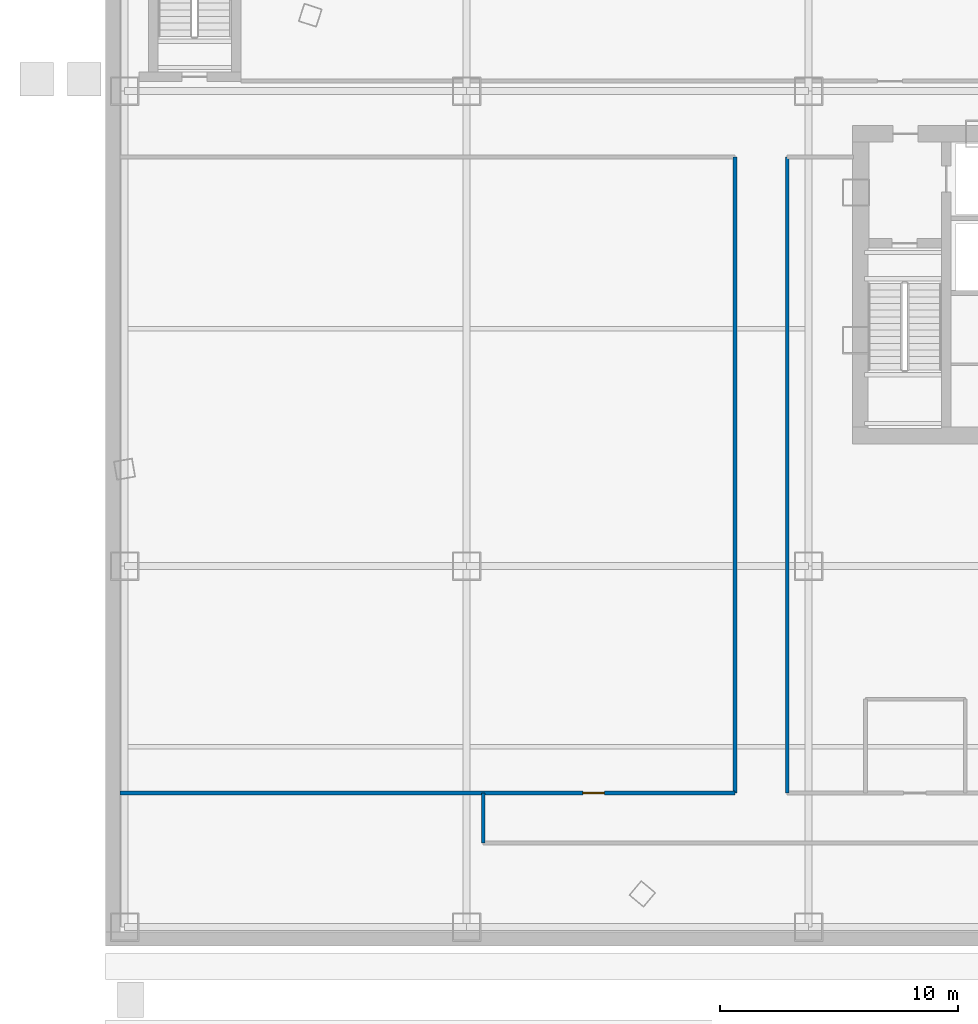
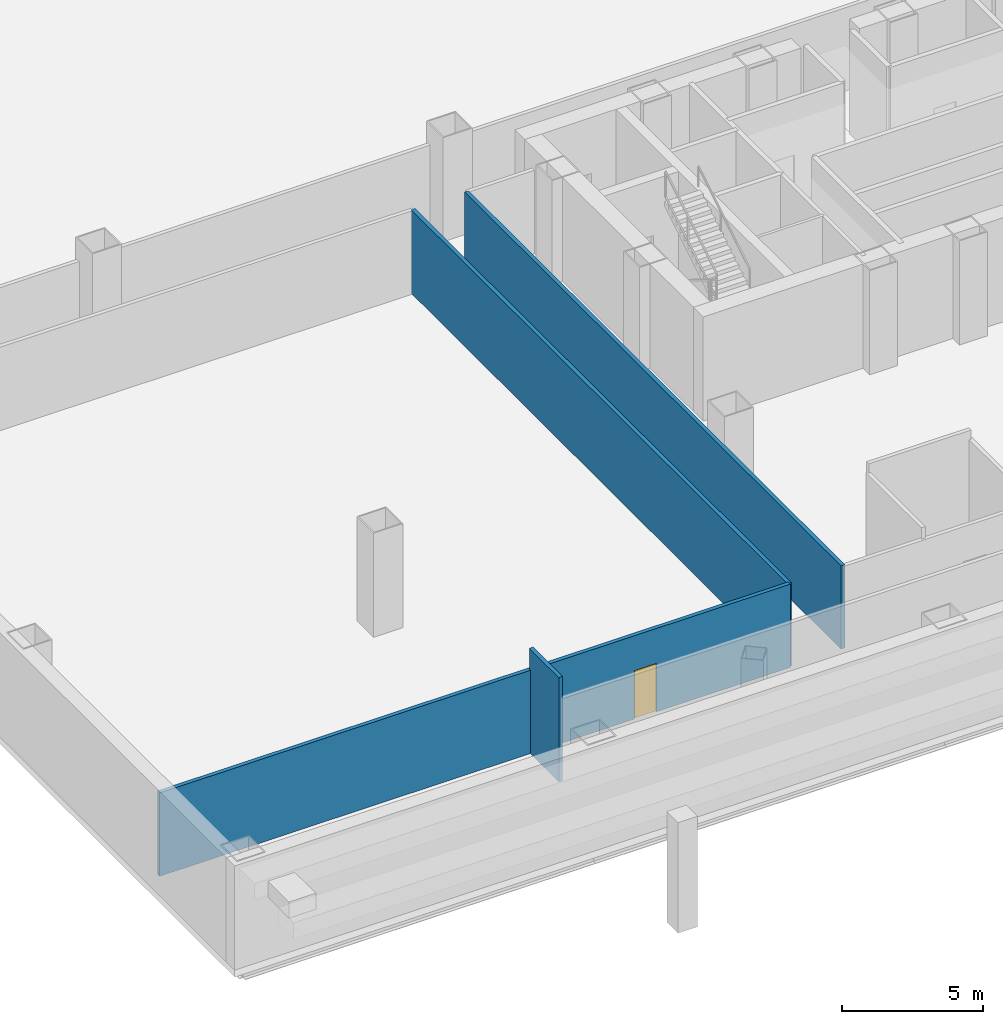
# One storey, part 6 of 16: 4 walls, 1 door, 1 opening.
"""IFC4 building model written with IfcOpenShell, lengths in metres."""

from ifc_helpers import new_model, si_unit, direction, frame, frame_2d, origin, origin_with_axes, place, context, subcontext, project, spatial, rectangle, extrude, source, transform, mapped, material, layer, layer_set, type_object, element, fill, save


model = new_model("IFC4")

# Units and contexts
model_context = context("Model", 3, precision=1e-05, world=origin(), true_north=direction((0.0, 1.0)))
body_context = subcontext(model_context, "Body", "Model", "MODEL_VIEW")
ifc_project = project(units=[si_unit("LENGTHUNIT", "METRE"), si_unit("AREAUNIT", "SQUARE_METRE"), si_unit("VOLUMEUNIT", "CUBIC_METRE"), si_unit("PLANEANGLEUNIT", "RADIAN"), si_unit("MASSUNIT", "GRAM", prefix="KILO"), si_unit("THERMODYNAMICTEMPERATUREUNIT", "KELVIN"), si_unit("POWERUNIT", "WATT")], contexts=[model_context])

# Site, building, storey
site_placement = place(None, origin())
site = spatial("IfcSite", under=ifc_project, at=site_placement, CompositionType="ELEMENT")
building_placement = place(site_placement, origin())
building = spatial("IfcBuilding", under=site, at=building_placement, Name="Yunzhuo Pagoda Commons", CompositionType="ELEMENT")
storey_placement = place(building_placement, frame((0.0, 0.0, -4.800048828125)))
storey = spatial("IfcBuildingStorey", under=building, at=storey_placement, Name="B01", CompositionType="ELEMENT", Elevation=-4.800048828125)

# Wall
ifc_material_1 = material(Name="Gypsum plasterboard on acoustic stud")
ifc_layer = layer(ifc_material_1, 0.159912109375)
ifc_layer_set = layer_set([ifc_layer], Name="Gypsum plasterboard on acoustic stud")
wall_type = type_object("IfcWallType", Name="W-COR1 Tower Rated Corridor Wall 160", PredefinedType="PARTITIONING", material=ifc_layer_set)
wall_1_placement = place(storey_placement, frame((30.5, 12.449951171875, 0.0), z_axis=(0.0, 0.0, 1.0), x_axis=(0.0, 1.0, 0.0)))
element("IfcWall", 1, at=wall_1_placement, inside=storey, type_object=wall_type, Name="B01 interior wall IW-B01-BIKEE", PredefinedType="PARTITIONING", context=body_context, shape_type="SweptSolid", body=[
    extrude(rectangle(XDim=26.77001953125, YDim=0.159912109375, at=frame_2d((13.385009765625, 0.0))), origin(), (0.0, 0.0, 1.0), 3.6201171875),
])

# Wall, opening, door
wall_2_placement = place(storey_placement, frame((4.60009765625, 12.449951171875, 0.0), z_axis=(0.0, 0.0, 1.0), x_axis=(1.0, 0.0, 0.0)))
wall_2 = element("IfcWall", 2, at=wall_2_placement, inside=storey, type_object=wall_type, Name="B01 interior wall IW-B01-BIKES", PredefinedType="PARTITIONING", context=body_context, shape_type="SweptSolid", body=[
    extrude(rectangle(XDim=25.89990234375, YDim=0.159912109375, at=frame_2d((12.949951171875, 0.0))), origin(), (0.0, 0.0, 1.0), 3.6201171875),
])
opening_placement = place(wall_2_placement, frame((19.5, 0.0, 0.0)))
opening = element("IfcOpeningElement", 3, at=opening_placement, cuts=wall_2, Name="Opening D-03", PredefinedType="OPENING", context=body_context, shape_type="SweptSolid", body=[
    extrude(rectangle(XDim=0.89990234375, YDim=2.10009765625, at=frame_2d((0.449951171875, 1.050048828125))), frame((0.0, 0.08984375, 0.0), z_axis=(0.0, -1.0, 0.0), x_axis=(1.0, 0.0, 0.0)), (0.0, 0.0, 1.0), 0.179931640625),
])
ifc_material_2 = material(Name="Galvanized fire-resisting metal leaf")
door_type = type_object("IfcDoorType", Name="D-03 Core Service Fire Door 900x2100", OperationType="NOTDEFINED", PredefinedType="DOOR", material=ifc_material_2)
shared_shape = source(origin(), body_context, "Body", "SweptSolid", [
    extrude(rectangle(XDim=0.89990234375, YDim=2.10009765625, at=frame_2d((0.449951171875, 1.050048828125))), frame((0.0, 0.02490234375, 0.0), z_axis=(0.0, -1.0, 0.0), x_axis=(1.0, 0.0, 0.0)), (0.0, 0.0, 1.0), 0.050048828125),
])
door_placement = place(opening_placement, origin_with_axes())
door = element("IfcDoor", 4, at=door_placement, inside=storey, type_object=door_type, Name="B01 Student Bicycle Storage Hub door", OperationType="SINGLE_SWING_RIGHT", OverallHeight=2.10009765625, OverallWidth=0.89990234375, PredefinedType="DOOR", context=body_context, shape_type="MappedRepresentation", body=[
    mapped(shared_shape, transform((0.0, 0.0, 0.0), scale=1.0)),
])
fill(opening, door)

# Walls
wall_3_placement = place(storey_placement, frame((32.699951171875, 12.449951171875, 0.0), z_axis=(0.0, 0.0, 1.0), x_axis=(0.0, 1.0, 0.0)))
element("IfcWall", 5, at=wall_3_placement, inside=storey, type_object=wall_type, Name="B01 interior wall IW-B01-SMW", PredefinedType="PARTITIONING", context=body_context, shape_type="SweptSolid", body=[
    extrude(rectangle(XDim=26.77001953125, YDim=0.159912109375, at=frame_2d((13.385009765625, 0.0))), origin(), (0.0, 0.0, 1.0), 3.6201171875),
])
wall_4_placement = place(storey_placement, frame((19.89990234375, 10.35009765625, 0.0), z_axis=(0.0, 0.0, 1.0), x_axis=(0.0, 1.0, 0.0)))
element("IfcWall", 6, at=wall_4_placement, inside=storey, type_object=wall_type, Name="B01 interior wall IW-B01-SCORW", PredefinedType="PARTITIONING", context=body_context, shape_type="SweptSolid", body=[
    extrude(rectangle(XDim=2.099853515625, YDim=0.159912109375, at=frame_2d((1.0498046875, 0.0))), origin(), (0.0, 0.0, 1.0), 4.52001953125),
])

save(model, "model.ifc")
